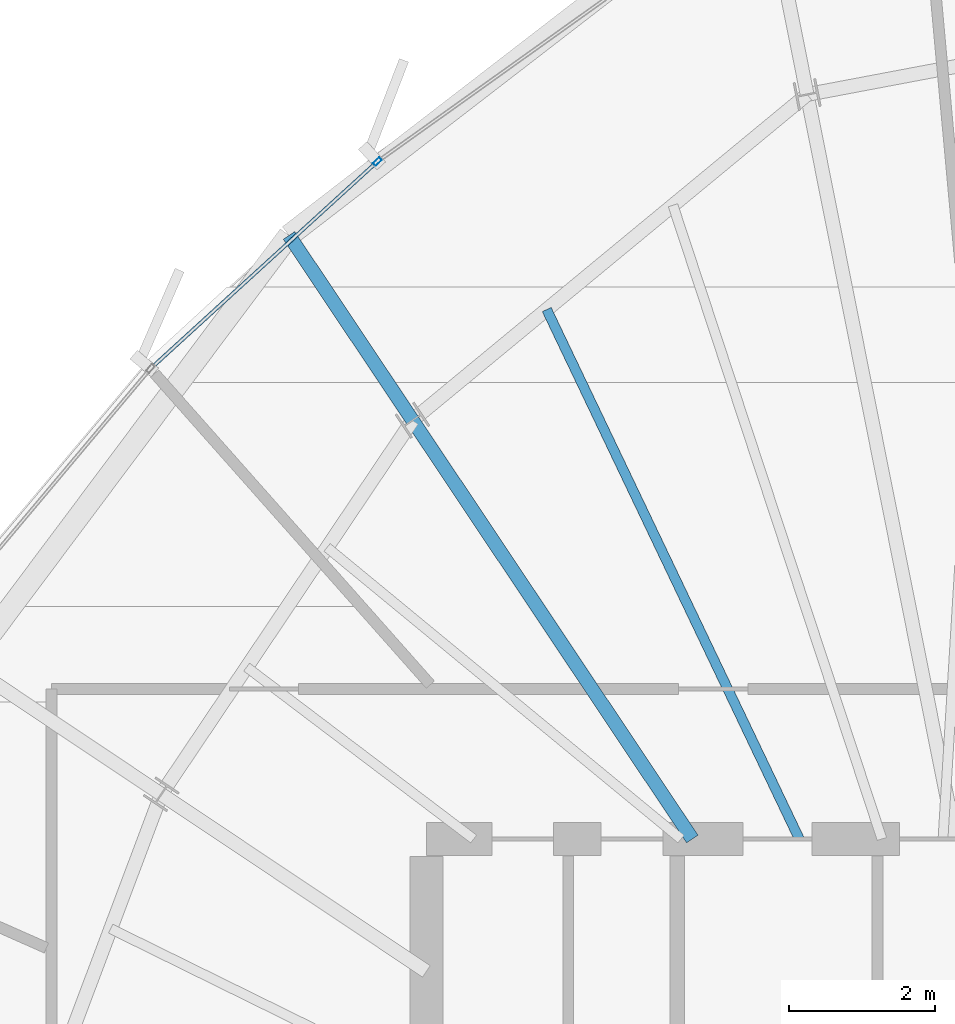
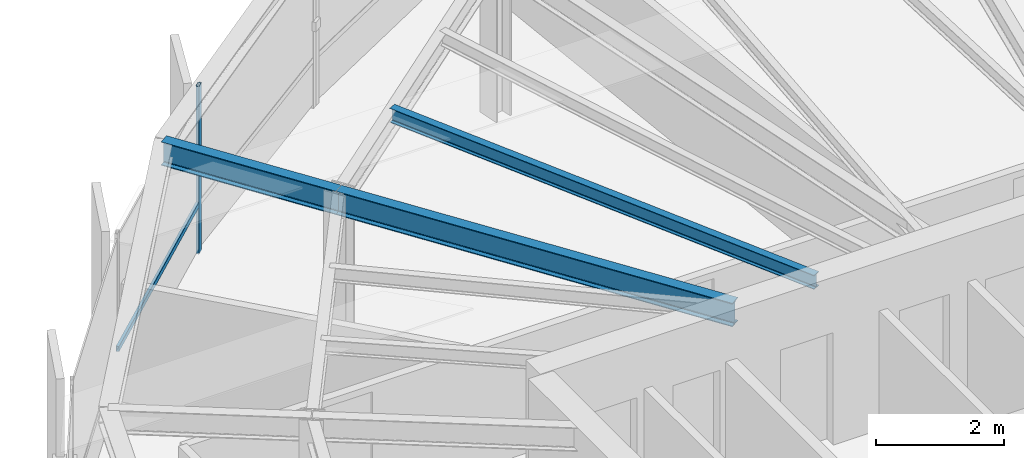
# One storey, part 18 of 32: 3 beams, 2 members, 1 element without a shape of its own.
"""IFC4 building model written with IfcOpenShell, lengths in metres."""

from ifc_helpers import new_model, si_unit, direction, frame, origin, origin_2d, place, context, subcontext, project, spatial, hollow_rectangle, i_section, extrude, source, transform, mapped, material, layer, layer_set, material_profile, profile_set, type_object, element, aggregate, save


model = new_model("IFC4")

# Units and contexts
model_context = context("Model", 3, precision=1e-05, world=origin(), true_north=direction((0.0, 1.0)))
body_context = subcontext(model_context, "Body", "Model", "MODEL_VIEW")
ifc_project = project(units=[si_unit("LENGTHUNIT", "METRE"), si_unit("AREAUNIT", "SQUARE_METRE"), si_unit("VOLUMEUNIT", "CUBIC_METRE"), si_unit("PLANEANGLEUNIT", "RADIAN"), si_unit("MASSUNIT", "GRAM", prefix="KILO"), si_unit("THERMODYNAMICTEMPERATUREUNIT", "KELVIN")], contexts=[model_context])

# Site, building, storey
site_placement = place(None, origin())
site = spatial("IfcSite", under=ifc_project, at=site_placement, CompositionType="ELEMENT")
building_placement = place(site_placement, origin())
building = spatial("IfcBuilding", under=site, at=building_placement, Name="Kethvar Cultural Tower", CompositionType="ELEMENT")
storey_placement = place(building_placement, frame((0.0, 0.0, 252.550048828125)))
storey = spatial("IfcBuildingStorey", under=building, at=storey_placement, Name="L66", CompositionType="ELEMENT", Elevation=252.550048828125)

# Beams
ifc_material_1 = material(Name="Steel S355J2", Category="steel")
ifc_material_profile_1 = material_profile(ifc_material_1, i_section(OverallWidth=0.18994140625, OverallDepth=0.449951171875, WebThickness=0.009521484375, FlangeThickness=0.0146484375, FilletRadius=0.02099609375, at=origin_2d()), Name="Steel S355J2 — IPE450")
ifc_profile_set_1 = profile_set([ifc_material_profile_1], Name="Steel S355J2 — IPE450")
beam_type_1 = type_object("IfcBeamType", Name="BM-IPE450", PredefinedType="BEAM", material=ifc_profile_set_1)
shared_shape_1 = source(origin(), body_context, "Body", "SweptSolid", [
    extrude(i_section(OverallWidth=0.18994140625, OverallDepth=0.449951171875, WebThickness=0.009521484375, FlangeThickness=0.0146484375, FilletRadius=0.02099609375, at=origin_2d()), origin(), (0.0, 0.0, 1.0), 6.921630859375),
])
beam_1_placement = place(storey_placement, frame((41.655029296875, 35.5, 2.98291015625), z_axis=(-0.555570841874, 0.831469205479, 0.0), x_axis=(-0.831469205479, -0.555570841874, 0.0)))
element("IfcBeam", 1, at=beam_1_placement, inside=storey, type_object=beam_type_1, Name="L66 Primary Radial Beam RB-06", PredefinedType="BEAM", context=body_context, shape_type="MappedRepresentation", body=[
    mapped(shared_shape_1, transform((0.0, 0.0, 0.0), scale=1.0)),
])
ifc_material_profile_2 = material_profile(ifc_material_1, i_section(OverallWidth=0.135009765625, OverallDepth=0.27001953125, WebThickness=0.006591796875, FlangeThickness=0.01025390625, FilletRadius=0.014892578125, at=origin_2d()), Name="Steel S355J2 — IPE270")
ifc_profile_set_2 = profile_set([ifc_material_profile_2], Name="Steel S355J2 — IPE270")
beam_type_2 = type_object("IfcBeamType", Name="BM-J270", PredefinedType="JOIST", material=ifc_profile_set_2)
shared_shape_2 = source(origin(), body_context, "Body", "SweptSolid", [
    extrude(i_section(OverallWidth=0.135009765625, OverallDepth=0.27001953125, WebThickness=0.006591796875, FlangeThickness=0.01025390625, FilletRadius=0.014892578125, at=origin_2d()), origin(), (0.0, 0.0, 1.0), 8.063232421875),
])
beam_2_placement = place(storey_placement, frame((43.1259765625, 35.5, 3.072998046875), z_axis=(-0.430642151588, 0.902522762746, 0.0), x_axis=(-0.902522762746, -0.430642151588, 0.0)))
element("IfcBeam", 2, at=beam_2_placement, inside=storey, type_object=beam_type_2, Name="L66 Composite Floor Joist J-05B", PredefinedType="JOIST", context=body_context, shape_type="MappedRepresentation", body=[
    mapped(shared_shape_2, transform((0.0, 0.0, 0.0), scale=1.0)),
])
shared_shape_3 = source(origin(), body_context, "Body", "SweptSolid", [
    extrude(i_section(OverallWidth=0.18994140625, OverallDepth=0.449951171875, WebThickness=0.009521484375, FlangeThickness=0.0146484375, FilletRadius=0.02099609375, at=origin_2d()), origin(), (0.0, 0.0, 1.0), 3.055908203125),
])
beam_3_placement = place(storey_placement, frame((37.8095703125, 41.255126953125, 2.98291015625), z_axis=(-0.555584865325, 0.831459835122, 0.0), x_axis=(-0.831459835122, -0.555584865325, 0.0)))
element("IfcBeam", 3, at=beam_3_placement, inside=storey, type_object=beam_type_1, Name="L66 Perimeter Cantilever Beam RC-06", PredefinedType="BEAM", context=body_context, shape_type="MappedRepresentation", body=[
    mapped(shared_shape_3, transform((0.0, 0.0, 0.0), scale=1.0)),
])

# Curtain wall, members
ifc_material_2 = material(Name="Aluminium 6063-T6", Category="aluminium")
ifc_layer = layer(ifc_material_2, 0.179931640625, Name="Aluminium 6063-T6", Category="aluminium")
ifc_layer_set = layer_set([ifc_layer], Name="Aluminium 6063-T6 (180 mm)")
curtain_wall_type = type_object("IfcCurtainWallType", Name="CW-SYS-05-Z56", PredefinedType="NOTDEFINED", material=ifc_layer_set)
curtain_wall_placement = place(storey_placement, origin())
curtain_wall = element("IfcCurtainWall", 4, at=curtain_wall_placement, inside=storey, type_object=curtain_wall_type, Name="L66 Curtain Wall Run 02", PredefinedType="NOTDEFINED")
ifc_material_profile_3 = material_profile(ifc_material_2, hollow_rectangle(XDim=0.054931640625, YDim=0.1201171875, WallThickness=0.00390625, at=origin_2d()), Name="Aluminium 6063-T6 — RHS120x55x4")
ifc_profile_set_3 = profile_set([ifc_material_profile_3], Name="Aluminium 6063-T6 — RHS120x55x4")
member_type_1 = type_object("IfcMemberType", Name="CW-SYS-05-Z56-MUL", PredefinedType="MULLION", material=ifc_profile_set_3)
shared_shape_4 = source(origin(), body_context, "Body", "SweptSolid", [
    extrude(hollow_rectangle(XDim=0.054931640625, YDim=0.1201171875, WallThickness=0.00390625, at=origin_2d()), origin(), (0.0, 0.0, 1.0), 3.2099609375),
])
member_1_placement = place(storey_placement, frame((37.32666015625, 44.81103515625, 0.0), z_axis=(0.0, 0.0, 1.0), x_axis=(0.674147711071, -0.738596549991, 0.0)))
member_1 = element("IfcMember", 5, at=member_1_placement, type_object=member_type_1, Name="CW-L66-R02 Mullion 2", PredefinedType="MULLION", context=body_context, shape_type="MappedRepresentation", body=[
    mapped(shared_shape_4, transform((0.0, 0.0, 0.0), scale=1.0)),
])
ifc_material_profile_4 = material_profile(ifc_material_2, hollow_rectangle(XDim=0.050048828125, YDim=0.10009765625, WallThickness=0.00390625, at=origin_2d()), Name="Aluminium 6063-T6 — RHS100x50x4")
ifc_profile_set_4 = profile_set([ifc_material_profile_4], Name="Aluminium 6063-T6 — RHS100x50x4")
member_type_2 = type_object("IfcMemberType", Name="CW-SYS-05-Z56-TRN", PredefinedType="USERDEFINED", material=ifc_profile_set_4)
shared_shape_5 = source(origin(), body_context, "Body", "SweptSolid", [
    extrude(hollow_rectangle(XDim=0.050048828125, YDim=0.10009765625, WallThickness=0.00390625, at=origin_2d()), origin(), (0.0, 0.0, 1.0), 4.157470703125),
])
member_2_placement = place(storey_placement, frame((37.29736328125, 44.7841796875, 0.949951171875), z_axis=(-0.7385833812, -0.674162138521, 0.0), x_axis=(0.674162138521, -0.7385833812, 0.0)))
member_2 = element("IfcMember", 6, at=member_2_placement, type_object=member_type_2, Name="CW-L66-R02 Transom 2", ObjectType="TRANSOM", PredefinedType="USERDEFINED", context=body_context, shape_type="MappedRepresentation", body=[
    mapped(shared_shape_5, transform((0.0, 0.0, 0.0), scale=1.0)),
])
aggregate(curtain_wall, [member_1, member_2])

save(model, "model.ifc")
